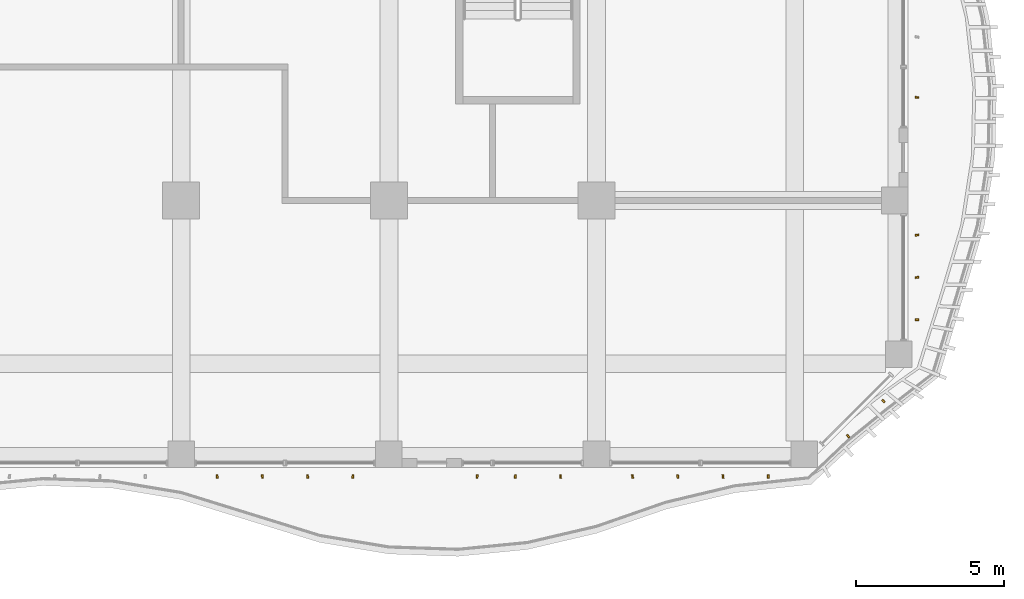
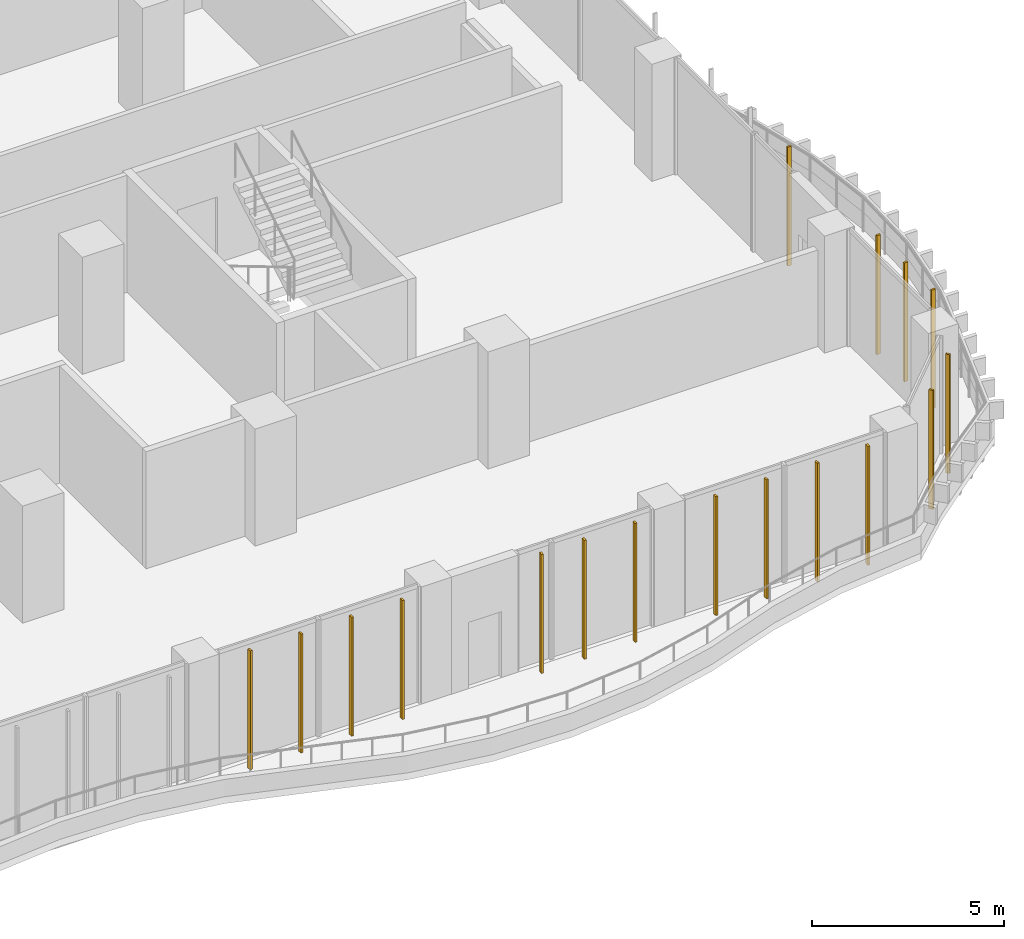
# One storey, part 22 of 27: 17 shading devices.
"""IFC4 building model written with IfcOpenShell, lengths in metres."""

from ifc_helpers import new_model, si_unit, direction, frame, origin, origin_2d, place, context, subcontext, project, spatial, rectangle, extrude, source, transform, mapped, material, material_profile, profile_set, type_object, element, save


model = new_model("IFC4")

# Units and contexts
model_context = context("Model", 3, precision=1e-05, world=origin(), true_north=direction((0.0, 1.0)))
body_context = subcontext(model_context, "Body", "Model", "MODEL_VIEW")
ifc_project = project(units=[si_unit("LENGTHUNIT", "METRE"), si_unit("AREAUNIT", "SQUARE_METRE"), si_unit("VOLUMEUNIT", "CUBIC_METRE"), si_unit("PLANEANGLEUNIT", "RADIAN"), si_unit("MASSUNIT", "GRAM", prefix="KILO")], contexts=[model_context])

# Site, building, storey
site_placement = place(None, origin())
site = spatial("IfcSite", under=ifc_project, at=site_placement, CompositionType="ELEMENT")
building_placement = place(site_placement, origin())
building = spatial("IfcBuilding", under=site, at=building_placement, Name="Kilnfold Tower and Market Hall", CompositionType="ELEMENT")
storey_placement = place(building_placement, frame((0.0, 0.0, 71.199951171875)))
storey = spatial("IfcBuildingStorey", under=building, at=storey_placement, Name="L16", CompositionType="ELEMENT", Elevation=71.199951171875)

# Shading devices
ifc_material = material(Name="Terracotta", Category="masonry")
ifc_material_profile = material_profile(ifc_material, rectangle(XDim=0.06005859375, YDim=0.1201171875, at=origin_2d()), Name="BAG 60x120")
ifc_profile_set = profile_set([ifc_material_profile], Name="Terracotta")
shading_device_type = type_object("IfcShadingDeviceType", Name="BAGUETTE", PredefinedType="USERDEFINED", material=ifc_profile_set)
shared_shape = source(origin(), body_context, "Body", "SweptSolid", [
    extrude(rectangle(XDim=0.06005859375, YDim=0.1201171875, at=origin_2d()), origin(), (0.0, 0.0, 1.0), 3.780029296875),
])
for number, where, z_axis, x_axis, name in (
    (1, (9.71240234375, -28.300048828125, 0.0), (0.0, 0.0, 1.0), (0.99117440451, 0.132564323421, 0.0), "Terracotta baguette L16 S"),
    (2, (11.237548828125, -28.300048828125, 0.0), (0.0, 0.0, 1.0), (0.991565629523, 0.1296055645, 0.0), "Terracotta baguette L16 S"),
    (3, (12.762451171875, -28.300048828125, 0.0), (0.0, 0.0, 1.0), (0.997658686143, 0.068389662692, 0.0), "Terracotta baguette L16 S"),
    (4, (14.28759765625, -28.300048828125, 0.0), (0.0, 0.0, 1.0), (0.999714103672, -0.023910477182, 0.0), "Terracotta baguette L16 S"),
    (5, (18.47509765625, -28.300048828125, 0.0), (0.0, 0.0, 1.0), (0.992345953643, -0.123488899458, 0.0), "Terracotta baguette L16 S"),
    (6, (19.762451171875, -28.300048828125, 0.0), (0.0, 0.0, 1.0), (0.997658686143, -0.068389662692, 0.0), "Terracotta baguette L16 S"),
    (7, (21.28759765625, -28.300048828125, 0.0), (0.0, 0.0, 1.0), (0.999714103672, 0.023910477182, 0.0), "Terracotta baguette L16 S"),
    (8, (23.71240234375, -28.300048828125, 0.0), (0.0, 0.0, 1.0), (0.99117440451, 0.132564323421, 0.0), "Terracotta baguette L16 S"),
    (9, (25.237548828125, -28.300048828125, 0.0), (0.0, 0.0, 1.0), (0.991565629523, 0.1296055645, 0.0), "Terracotta baguette L16 S"),
    (10, (26.762451171875, -28.300048828125, 0.0), (0.0, 0.0, 1.0), (0.997658686143, 0.068389662692, 0.0), "Terracotta baguette L16 S"),
    (11, (28.28759765625, -28.300048828125, 0.0), (0.0, 0.0, 1.0), (0.999714103672, -0.023910477182, 0.0), "Terracotta baguette L16 S"),
    (12, (30.98095703125, -26.943359375, 0.0), (0.0, 0.0, 1.0), (0.798533613162, 0.601950221073, 0.0), "Terracotta baguette L16 SE"),
    (13, (32.16845703125, -25.755859375, 0.0), (0.0, 0.0, 1.0), (0.77819492213, 0.628022820581, 0.0), "Terracotta baguette L16 SE"),
    (14, (33.300048828125, -23.018310546875, 0.0), (0.0, 0.0, 1.0), (-0.062093750187, 0.998070321264, 0.0), "Terracotta baguette L16 E"),
    (15, (33.300048828125, -21.5908203125, 0.0), (0.0, 0.0, 1.0), (-0.124223221036, 0.992254297726, 0.0), "Terracotta baguette L16 E"),
    (16, (33.300048828125, -20.16357421875, 0.0), (0.0, 0.0, 1.0), (-0.137143734569, 0.990551157724, 0.0), "Terracotta baguette L16 E"),
    (17, (33.300048828125, -15.52490234375, 0.0), (0.0, 0.0, 1.0), (0.087953772371, 0.996124557435, 0.0), "Terracotta baguette L16 E"),
):
    element("IfcShadingDevice", number, at=place(storey_placement, frame(where, z_axis=z_axis, x_axis=x_axis)), inside=storey, type_object=shading_device_type, Name=name, ObjectType="BAGUETTE", PredefinedType="USERDEFINED", context=body_context, shape_type="MappedRepresentation", body=[
        mapped(shared_shape, transform((0.0, 0.0, 0.0))),
    ])

save(model, "model.ifc")
